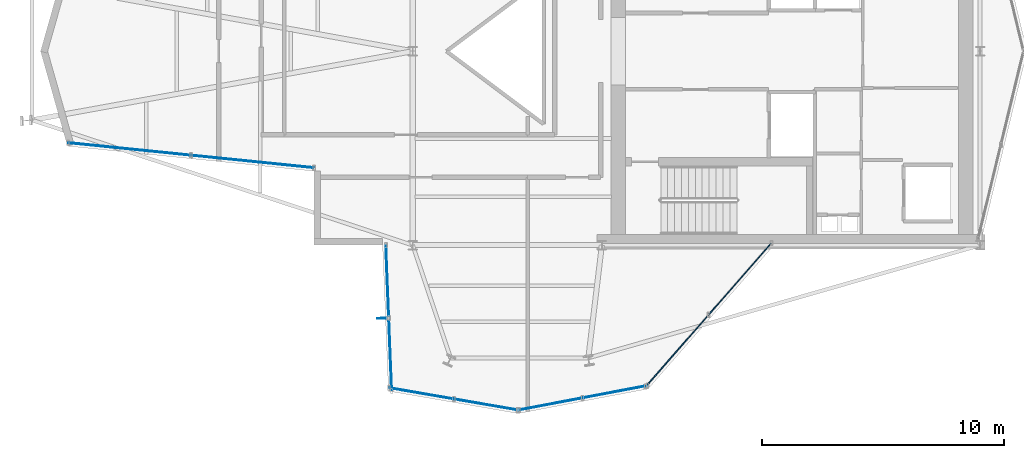
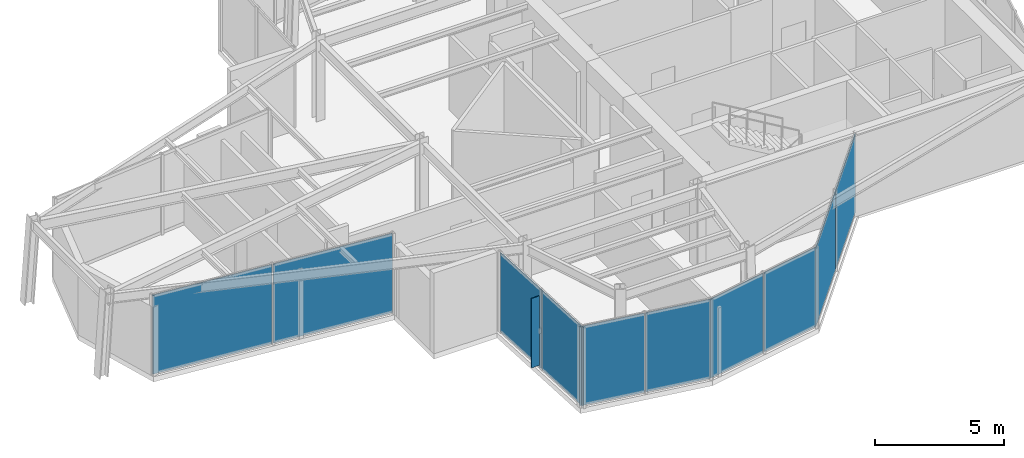
# One storey, part 8 of 13: 11 plates, 5 elements without a shape of their own.
"""IFC4 building model written with IfcOpenShell, lengths in metres."""

from ifc_helpers import new_model, si_unit, direction, frame, origin, origin_2d, place, context, subcontext, project, spatial, rectangle, extrude, material, layer, layer_set, type_object, element, aggregate, save


model = new_model("IFC4")

# Units and contexts
model_context = context("Model", 3, precision=1e-05, world=origin(), true_north=direction((0.0, 1.0)))
body_context = subcontext(model_context, "Body", "Model", "MODEL_VIEW")
ifc_project = project(units=[si_unit("LENGTHUNIT", "METRE"), si_unit("AREAUNIT", "SQUARE_METRE"), si_unit("VOLUMEUNIT", "CUBIC_METRE"), si_unit("PLANEANGLEUNIT", "RADIAN"), si_unit("MASSUNIT", "GRAM", prefix="KILO")], contexts=[model_context])

# Site, building, storey
site_placement = place(None, origin())
site = spatial("IfcSite", under=ifc_project, at=site_placement, CompositionType="ELEMENT")
building_placement = place(site_placement, origin())
building = spatial("IfcBuilding", under=site, at=building_placement, Name="Veymaron Broadcast Tower", CompositionType="ELEMENT")
storey_placement = place(building_placement, frame((0.0, 0.0, 274.949951171875)))
storey = spatial("IfcBuildingStorey", under=building, at=storey_placement, Name="L64", CompositionType="ELEMENT", Elevation=274.949951171875)

# Curtain wall, plates
ifc_material_1 = material(Name="Anodised aluminium AA 6063-T6 and laminated low-E dark glass", Category="aluminium")
ifc_layer_1 = layer(ifc_material_1, 0.179931640625)
ifc_layer_set_1 = layer_set([ifc_layer_1], Name="Anodised aluminium AA 6063-T6 and laminated low-E dark glass")
curtain_wall_type = type_object("IfcCurtainWallType", Name="CW-SYS-06", PredefinedType="NOTDEFINED", material=ifc_layer_set_1)
curtain_wall_1_placement = place(storey_placement, origin())
curtain_wall_1 = element("IfcCurtainWall", 1, at=curtain_wall_1_placement, inside=storey, type_object=curtain_wall_type, Name="L64 dark-glass curtain wall CW-L64-E14-1", PredefinedType="NOTDEFINED")
ifc_material_2 = material(Name="Insulated dark-anodised aluminium spandrel panel 40 mm", Category="aluminium")
ifc_layer_2 = layer(ifc_material_2, 0.0400390625)
ifc_layer_set_2 = layer_set([ifc_layer_2], Name="Insulated dark-anodised aluminium spandrel panel 40 mm")
plate_type_1 = type_object("IfcPlateType", Name="CW-PNL-03", PredefinedType="CURTAIN_PANEL", material=ifc_layer_set_2)
plate_1_placement = place(storey_placement, frame((19.5146484375, 19.96533203125, 0.0400390625), z_axis=(0.0, 0.0, 1.0), x_axis=(0.994870120783, -0.101160480293, 0.0)))
plate_1 = element("IfcPlate", 2, at=plate_1_placement, type_object=plate_type_1, Name="CW-L64-E14-1 unitised curtain panel 0", PredefinedType="CURTAIN_PANEL", context=body_context, shape_type="SweptSolid", body=[
    extrude(rectangle(XDim=5.047119140625, YDim=0.0400390625, at=origin_2d()), origin(), (0.0, 0.0, 1.0), 3.72998046875),
])
plate_2_placement = place(storey_placement, frame((24.595458984375, 19.44873046875, 0.0400390625), z_axis=(0.0, 0.0, 1.0), x_axis=(0.994870120783, -0.101160480293, 0.0)))
plate_2 = element("IfcPlate", 3, at=plate_2_placement, type_object=plate_type_1, Name="CW-L64-E14-1 unitised curtain panel 1", PredefinedType="CURTAIN_PANEL", context=body_context, shape_type="SweptSolid", body=[
    extrude(rectangle(XDim=5.047119140625, YDim=0.0400390625, at=origin_2d()), origin(), (0.0, 0.0, 1.0), 3.72998046875),
])
aggregate(curtain_wall_1, [plate_1, plate_2])

curtain_wall_2_placement = place(storey_placement, origin())
curtain_wall_2 = element("IfcCurtainWall", 4, at=curtain_wall_2_placement, inside=storey, type_object=curtain_wall_type, Name="L64 dark-glass curtain wall CW-L64-E17-1", PredefinedType="NOTDEFINED")
plate_3_placement = place(storey_placement, frame((30.15380859375, 14.500244140625, 0.0400390625), z_axis=(0.0, 0.0, 1.0), x_axis=(0.04004459622, -0.999197893469, 0.0)))
plate_3 = element("IfcPlate", 5, at=plate_3_placement, type_object=plate_type_1, Name="CW-L64-E17-1 unitised curtain panel 0", PredefinedType="CURTAIN_PANEL", context=body_context, shape_type="SweptSolid", body=[
    extrude(rectangle(XDim=2.952880859375, YDim=0.0400390625, at=origin_2d()), origin(), (0.0, 0.0, 1.0), 3.72998046875),
])
plate_4_placement = place(storey_placement, frame((30.274658203125, 11.48974609375, 0.0400390625), z_axis=(0.0, 0.0, 1.0), x_axis=(0.04004459622, -0.999197893469, 0.0)))
plate_4 = element("IfcPlate", 6, at=plate_4_placement, type_object=plate_type_1, Name="CW-L64-E17-1 unitised curtain panel 1", PredefinedType="CURTAIN_PANEL", context=body_context, shape_type="SweptSolid", body=[
    extrude(rectangle(XDim=2.952880859375, YDim=0.0400390625, at=origin_2d()), origin(), (0.0, 0.0, 1.0), 3.72998046875),
])
aggregate(curtain_wall_2, [plate_3, plate_4])

curtain_wall_3_placement = place(storey_placement, origin())
curtain_wall_3 = element("IfcCurtainWall", 7, at=curtain_wall_3_placement, inside=storey, type_object=curtain_wall_type, Name="L64 dark-glass curtain wall CW-L64-E18-1", PredefinedType="NOTDEFINED")
plate_5_placement = place(storey_placement, frame((31.558349609375, 9.8857421875, 0.0400390625), z_axis=(0.0, 0.0, 1.0), x_axis=(0.98545539152, -0.169934314736, 0.0)))
plate_5 = element("IfcPlate", 8, at=plate_5_placement, type_object=plate_type_1, Name="CW-L64-E18-1 unitised curtain panel 0", PredefinedType="CURTAIN_PANEL", context=body_context, shape_type="SweptSolid", body=[
    extrude(rectangle(XDim=2.65869140625, YDim=0.0400390625, at=origin_2d()), origin(), (0.0, 0.0, 1.0), 3.72998046875),
])
plate_6_placement = place(storey_placement, frame((34.237548828125, 9.423828125, 0.0400390625), z_axis=(0.0, 0.0, 1.0), x_axis=(0.98545539152, -0.169934314736, 0.0)))
plate_6 = element("IfcPlate", 9, at=plate_6_placement, type_object=plate_type_1, Name="CW-L64-E18-1 unitised curtain panel 1", PredefinedType="CURTAIN_PANEL", context=body_context, shape_type="SweptSolid", body=[
    extrude(rectangle(XDim=2.65869140625, YDim=0.0400390625, at=origin_2d()), origin(), (0.0, 0.0, 1.0), 3.72998046875),
])
aggregate(curtain_wall_3, [plate_5, plate_6])

curtain_wall_4_placement = place(storey_placement, origin())
curtain_wall_4 = element("IfcCurtainWall", 10, at=curtain_wall_4_placement, inside=storey, type_object=curtain_wall_type, Name="L64 dark-glass curtain wall CW-L64-E19-1", PredefinedType="NOTDEFINED")
plate_7_placement = place(storey_placement, frame((36.86669921875, 9.4462890625, 0.0400390625), z_axis=(0.0, 0.0, 1.0), x_axis=(0.982479684732, 0.186369710761, 0.0)))
plate_7 = element("IfcPlate", 11, at=plate_7_placement, type_object=plate_type_1, Name="CW-L64-E19-1 unitised curtain panel 0", PredefinedType="CURTAIN_PANEL", context=body_context, shape_type="SweptSolid", body=[
    extrude(rectangle(XDim=2.6669921875, YDim=0.0400390625, at=origin_2d()), origin(), (0.0, 0.0, 1.0), 3.72998046875),
])
plate_8_placement = place(storey_placement, frame((39.545654296875, 9.95458984375, 0.0400390625), z_axis=(0.0, 0.0, 1.0), x_axis=(0.982479684732, 0.186369710761, 0.0)))
plate_8 = element("IfcPlate", 12, at=plate_8_placement, type_object=plate_type_1, Name="CW-L64-E19-1 unitised curtain panel 1", PredefinedType="CURTAIN_PANEL", context=body_context, shape_type="SweptSolid", body=[
    extrude(rectangle(XDim=2.6669921875, YDim=0.0400390625, at=origin_2d()), origin(), (0.0, 0.0, 1.0), 3.72998046875),
])
aggregate(curtain_wall_4, [plate_7, plate_8])

curtain_wall_5_placement = place(storey_placement, origin())
curtain_wall_5 = element("IfcCurtainWall", 13, at=curtain_wall_5_placement, inside=storey, type_object=curtain_wall_type, Name="L64 dark-glass curtain wall CW-L64-E20-1", PredefinedType="NOTDEFINED")
plate_9_placement = place(storey_placement, frame((42.10302734375, 11.6455078125, 0.0400390625), z_axis=(0.0, 0.0, 1.0), x_axis=(0.658558128912, 0.752529860433, 0.0)))
plate_9 = element("IfcPlate", 14, at=plate_9_placement, type_object=plate_type_1, Name="CW-L64-E20-1 unitised curtain panel 0", PredefinedType="CURTAIN_PANEL", context=body_context, shape_type="SweptSolid", body=[
    extrude(rectangle(XDim=3.87939453125, YDim=0.0400390625, at=origin_2d()), origin(), (0.0, 0.0, 1.0), 3.72998046875),
])
plate_10_placement = place(storey_placement, frame((44.697509765625, 14.610107421875, 0.0400390625), z_axis=(0.0, 0.0, 1.0), x_axis=(0.658558128912, 0.752529860433, 0.0)))
plate_10 = element("IfcPlate", 15, at=plate_10_placement, type_object=plate_type_1, Name="CW-L64-E20-1 unitised curtain panel 1", PredefinedType="CURTAIN_PANEL", context=body_context, shape_type="SweptSolid", body=[
    extrude(rectangle(XDim=3.87939453125, YDim=0.0400390625, at=origin_2d()), origin(), (0.0, 0.0, 1.0), 3.72998046875),
])
aggregate(curtain_wall_5, [plate_9, plate_10])

# Plate
ifc_material_3 = material(Name="Dark-anodised aluminium AA 6061-T6", Category="aluminium")
ifc_layer_3 = layer(ifc_material_3, 0.030029296875)
ifc_layer_set_3 = layer_set([ifc_layer_3], Name="Dark-anodised aluminium AA 6061-T6")
plate_type_2 = type_object("IfcPlateType", Name="FIN-CHEV-02", PredefinedType="USERDEFINED", material=ifc_layer_set_3)
plate_11_placement = place(storey_placement, frame((29.909423828125, 12.98291015625, 0.2666015625), z_axis=(0.0, 0.0, 1.0), x_axis=(-0.999197893469, -0.04004459622, 0.0)))
element("IfcPlate", 16, at=plate_11_placement, inside=storey, type_object=plate_type_2, Name="CW-L64-E17-1 chevron fin 1", ObjectType="FIN", PredefinedType="USERDEFINED", context=body_context, shape_type="SweptSolid", body=[
    extrude(rectangle(XDim=0.35009765625, YDim=0.034912109375, at=origin_2d()), origin(), (0.0, 0.0, 1.0), 3.276611328125),
])

save(model, "model.ifc")
